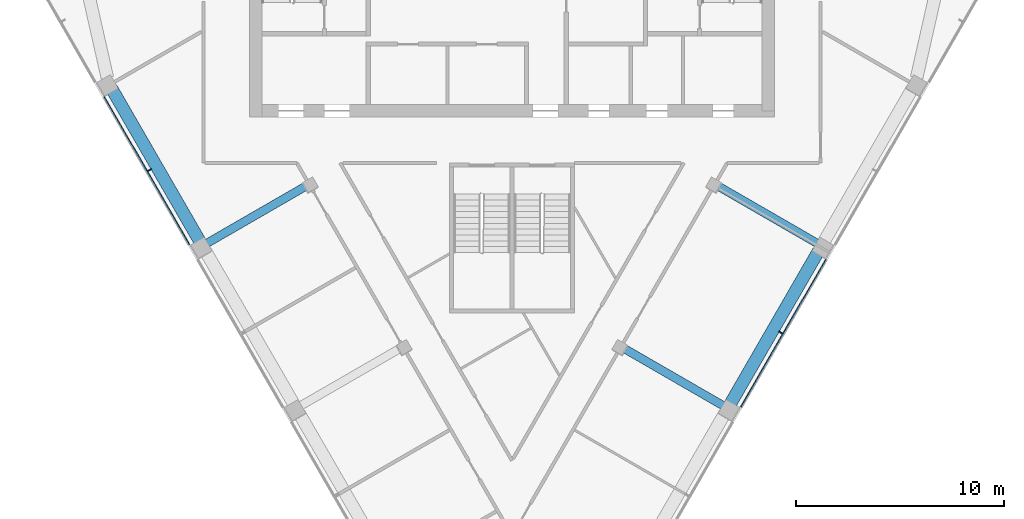
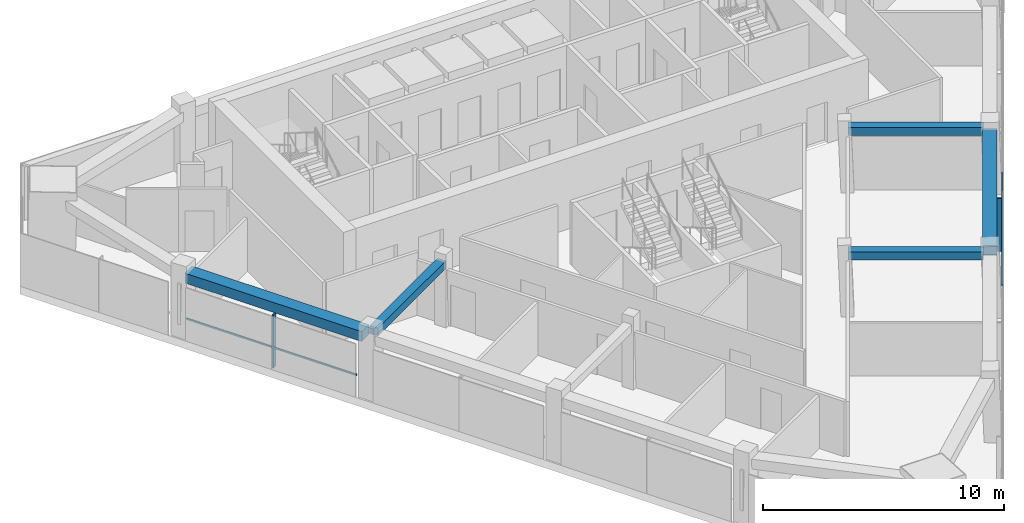
# One storey, part 3 of 12: 5 beams, 4 members, 2 elements without a shape of their own.
"""IFC4 building model written with IfcOpenShell, lengths in metres."""

from ifc_helpers import new_model, si_unit, direction, frame, origin, origin_2d, place, context, subcontext, project, spatial, rectangle, extrude, material, layer, layer_set, material_profile, profile_set, type_object, element, aggregate, save


model = new_model("IFC4")

# Units and contexts
model_context = context("Model", 3, precision=1e-05, world=origin(), true_north=direction((0.0, 1.0)))
body_context = subcontext(model_context, "Body", "Model", "MODEL_VIEW")
ifc_project = project(units=[si_unit("LENGTHUNIT", "METRE"), si_unit("AREAUNIT", "SQUARE_METRE"), si_unit("VOLUMEUNIT", "CUBIC_METRE"), si_unit("PLANEANGLEUNIT", "RADIAN"), si_unit("MASSUNIT", "GRAM", prefix="KILO")], contexts=[model_context])

# Site, building, storey
site_placement = place(None, origin())
site = spatial("IfcSite", under=ifc_project, at=site_placement, CompositionType="ELEMENT")
building_placement = place(site_placement, origin())
building = spatial("IfcBuilding", under=site, at=building_placement, Name="Altiplano Prism Tower", CompositionType="ELEMENT")
storey_placement = place(building_placement, frame((0.0, 0.0, 257.199951171875)))
storey = spatial("IfcBuildingStorey", under=building, at=storey_placement, Name="L66", CompositionType="ELEMENT", Elevation=257.199951171875)

# Curtain wall, member
ifc_material_1 = material(Name="Aluminium and glass", Category="aluminium")
ifc_layer = layer(ifc_material_1, 0.303955078125)
ifc_layer_set = layer_set([ifc_layer], Name="Aluminium and glass")
curtain_wall_type = type_object("IfcCurtainWallType", Name="CW2 lounge-band unitised glazing", PredefinedType="NOTDEFINED", material=ifc_layer_set)
curtain_wall_1_placement = place(storey_placement, origin())
curtain_wall_1 = element("IfcCurtainWall", 1, at=curtain_wall_1_placement, inside=storey, type_object=curtain_wall_type, Name="CW2 curtain wall south-west face L66", PredefinedType="NOTDEFINED")
ifc_material_2 = material(Name="Aluminium", Category="aluminium")
ifc_material_profile_1 = material_profile(ifc_material_2, rectangle(XDim=0.199951171875, YDim=0.06005859375, at=origin_2d()), Name="CW2 mullion 60 x 200")
ifc_profile_set_1 = profile_set([ifc_material_profile_1], Name="Aluminium")
member_type_1 = type_object("IfcMemberType", Name="CW2 mullion 60 x 200", PredefinedType="MULLION", material=ifc_profile_set_1)
member_1_placement = place(storey_placement, frame((67.60498046875, 90.25537109375, 0.0), z_axis=(0.0, 0.0, 1.0), x_axis=(0.866025401332, 0.500000004247, 0.0)))
member_1 = element("IfcMember", 2, at=member_1_placement, type_object=member_type_1, Name="CW2 mullion", PredefinedType="MULLION", context=body_context, shape_type="SweptSolid", body=[
    extrude(rectangle(XDim=0.199951171875, YDim=0.06005859375, at=origin_2d()), origin(), (0.0, 0.0, 1.0), 2.699951171875),
])

curtain_wall_2_placement = place(storey_placement, origin())
curtain_wall_2 = element("IfcCurtainWall", 3, at=curtain_wall_2_placement, inside=storey, type_object=curtain_wall_type, Name="CW2 curtain wall south-east face L66", PredefinedType="NOTDEFINED")
member_2_placement = place(storey_placement, frame((97.89501953125, 82.461181640625, 0.0), z_axis=(0.0, 0.0, 1.0), x_axis=(-0.866025401332, 0.500000004247, 0.0)))
member_2 = element("IfcMember", 4, at=member_2_placement, type_object=member_type_1, Name="CW2 mullion", PredefinedType="MULLION", context=body_context, shape_type="SweptSolid", body=[
    extrude(rectangle(XDim=0.199951171875, YDim=0.06005859375, at=origin_2d()), origin(), (0.0, 0.0, 1.0), 2.699951171875),
])

# Member
ifc_material_profile_2 = material_profile(ifc_material_2, rectangle(XDim=0.06005859375, YDim=0.080078125, at=origin_2d()), Name="CW2 transom 80 x 60")
ifc_profile_set_2 = profile_set([ifc_material_profile_2], Name="Aluminium")
member_type_2 = type_object("IfcMemberType", Name="CW2 transom 80 x 60", PredefinedType="USERDEFINED", material=ifc_profile_set_2)
member_3_placement = place(storey_placement, frame((65.43017578125, 93.762451171875, 1.10009765625), z_axis=(0.499995783154, -0.866027838368, 0.0), x_axis=(0.866027838368, 0.499995783154, 0.0)))
member_3 = element("IfcMember", 5, at=member_3_placement, type_object=member_type_2, Name="CW2 transom", ObjectType="TRANSOM", PredefinedType="USERDEFINED", context=body_context, shape_type="SweptSolid", body=[
    extrude(rectangle(XDim=0.06005859375, YDim=0.080078125, at=origin_2d()), origin(), (0.0, 0.0, 1.0), 8.169921875),
])

aggregate(curtain_wall_1, [member_1, member_3])

member_4_placement = place(storey_placement, frame((95.98486328125, 78.892822265625, 1.10009765625), z_axis=(0.500008722908, 0.866020367552, 0.0), x_axis=(-0.866020367552, 0.500008722908, 0.0)))
member_4 = element("IfcMember", 6, at=member_4_placement, type_object=member_type_2, Name="CW2 transom", ObjectType="TRANSOM", PredefinedType="USERDEFINED", context=body_context, shape_type="SweptSolid", body=[
    extrude(rectangle(XDim=0.06005859375, YDim=0.080078125, at=origin_2d()), origin(), (0.0, 0.0, 1.0), 8.169677734375),
])

aggregate(curtain_wall_2, [member_2, member_4])

# Beams
ifc_material_3 = material(Name="Concrete C60/75", Category="concrete")
ifc_material_profile_3 = material_profile(ifc_material_3, rectangle(XDim=0.60009765625, YDim=0.5, at=origin_2d()), Name="Edge beam 600x500")
ifc_profile_set_3 = profile_set([ifc_material_profile_3], Name="Concrete C60/75")
beam_type_1 = type_object("IfcBeamType", Name="Edge beam 600x500", PredefinedType="SPANDREL", material=ifc_profile_set_3)
for number, where, z_axis, x_axis, name in (
    (7, (65.775634765625, 94.193359375, 2.949951171875), (0.49998963237, -0.866031389456, 0.0), (0.866031389456, 0.49998963237, 0.0), "Edge beam P11-P12 L67"),
    (8, (95.4794921875, 79.046630859375, 2.949951171875), (0.49998963237, 0.866031389456, 0.0), (-0.866031389456, 0.49998963237, 0.0), "Edge beam P22-P23 L67"),
):
    element("IfcBeam", number, at=place(storey_placement, frame(where, z_axis=z_axis, x_axis=x_axis)), inside=storey, type_object=beam_type_1, Name=name, PredefinedType="SPANDREL", context=body_context, shape_type="SweptSolid", body=[
        extrude(rectangle(XDim=0.60009765625, YDim=0.5, at=origin_2d()), origin(), (0.0, 0.0, 1.0), 8.489990234375),
    ])
ifc_material_profile_4 = material_profile(ifc_material_3, rectangle(XDim=0.39990234375, YDim=0.39990234375, at=origin_2d()), Name="Tie beam 400x400")
ifc_profile_set_4 = profile_set([ifc_material_profile_4], Name="Concrete C60/75")
beam_type_2 = type_object("IfcBeamType", Name="Tie beam 400x400", PredefinedType="BEAM", material=ifc_profile_set_4)
for number, where, z_axis, x_axis, name in (
    (9, (75.253173828125, 89.5673828125, 3.0), (-0.866015459562, -0.500017223503, 0.0), (0.500017223503, -0.866015459562, 0.0), "Tie beam I12 L67"),
    (10, (90.246826171875, 81.773193359375, 3.0), (0.866015459562, -0.500017223503, 0.0), (0.500017223503, 0.866015459562, 0.0), "Tie beam I22 L67"),
    (11, (94.746826171875, 89.5673828125, 3.0), (0.866015459562, -0.500017223503, 0.0), (0.500017223503, 0.866015459562, 0.0), "Tie beam I23 L67"),
):
    element("IfcBeam", number, at=place(storey_placement, frame(where, z_axis=z_axis, x_axis=x_axis)), inside=storey, type_object=beam_type_2, Name=name, PredefinedType="BEAM", context=body_context, shape_type="SweptSolid", body=[
        extrude(rectangle(XDim=0.39990234375, YDim=0.39990234375, at=origin_2d()), origin(), (0.0, 0.0, 1.0), 5.639892578125),
    ])

save(model, "model.ifc")
